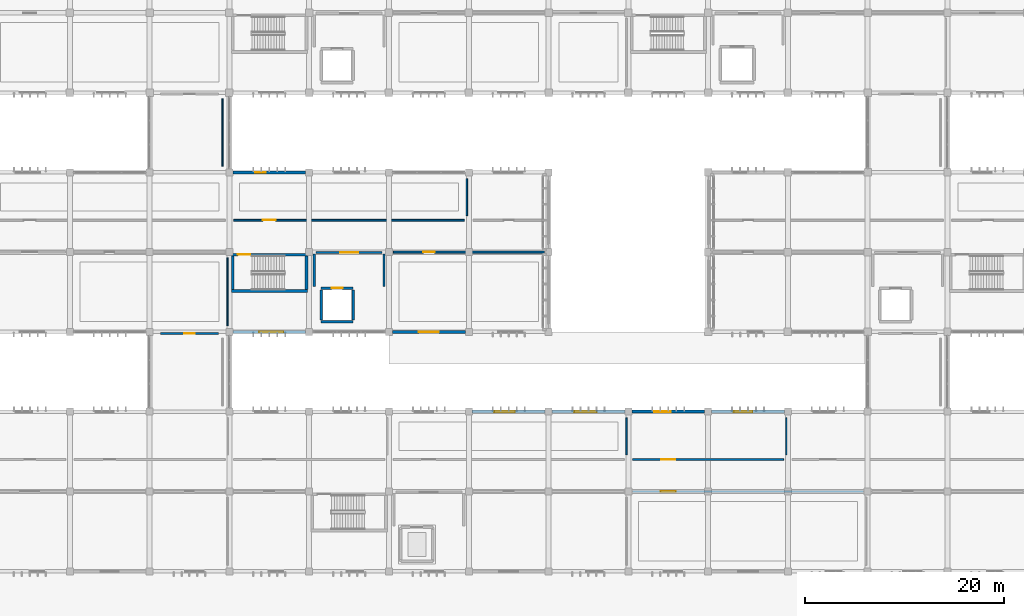
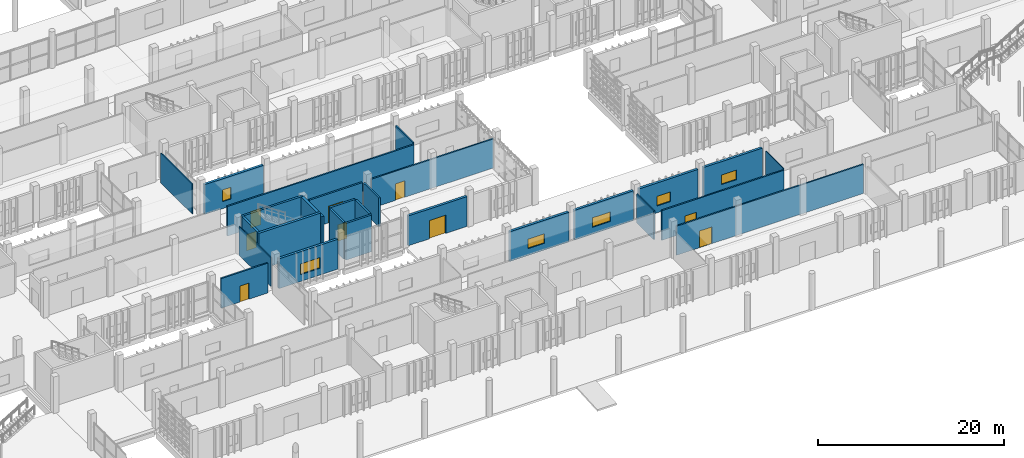
# One storey, part 86 of 117: 28 walls, 9 doors, 6 windows, 15 openings.
"""IFC4 building model written with IfcOpenShell, lengths in metres."""

from ifc_helpers import new_model, si_unit, direction, frame, frame_2d, origin, place, context, subcontext, project, spatial, rectangle, extrude, material, layer, layer_set, type_object, element, fill, save


model = new_model("IFC4")

# Units and contexts
model_context = context("Model", 3, precision=1e-05, world=origin(), true_north=direction((0.0, 1.0)))
body_context = subcontext(model_context, "Body", "Model", "MODEL_VIEW")
ifc_project = project(units=[si_unit("LENGTHUNIT", "METRE"), si_unit("AREAUNIT", "SQUARE_METRE"), si_unit("VOLUMEUNIT", "CUBIC_METRE"), si_unit("PLANEANGLEUNIT", "RADIAN"), si_unit("MASSUNIT", "GRAM", prefix="KILO")], contexts=[model_context])

# Site, building, storey
site_placement = place(None, origin())
site = spatial("IfcSite", under=ifc_project, at=site_placement, CompositionType="ELEMENT")
building_placement = place(site_placement, origin())
building = spatial("IfcBuilding", under=site, at=building_placement, Name="Jelvoka-Kovrelna Polytechnic", CompositionType="ELEMENT")
storey_placement = place(building_placement, origin())
storey = spatial("IfcBuildingStorey", under=building, at=storey_placement, Name="L01", CompositionType="ELEMENT", Elevation=0.0)

# Wall, opening, door
ifc_material_1 = material(Name="Concrete C35/45", Category="concrete")
ifc_layer_1 = layer(ifc_material_1, 0.219970703125)
ifc_layer_set_1 = layer_set([ifc_layer_1], Name="Concrete C35/45")
wall_type_1 = type_object("IfcWallType", Name="Wall_Compartment_220", PredefinedType="PARTITIONING", material=ifc_layer_set_1)
wall_1_placement = place(storey_placement, frame((88.699951171875, 39.949951171875, 0.0), z_axis=(0.0, 0.0, 1.0), x_axis=(1.0, 0.0, 0.0)))
wall_1 = element("IfcWall", 1, at=wall_1_placement, inside=storey, type_object=wall_type_1, Name="L01 interior wall 0410", PredefinedType="PARTITIONING", context=body_context, shape_type="SweptSolid", body=[
    extrude(rectangle(XDim=6.60009765625, YDim=0.219970703125, at=frame_2d((3.300048828125, 0.0))), origin(), (0.0, 0.0, 1.0), 3.81005859375),
])
opening_1_placement = place(wall_1_placement, frame((2.39990234375, 0.0, 0.0)))
opening_1 = element("IfcOpeningElement", 2, at=opening_1_placement, cuts=wall_1, Name="Opening FD-L01-083", PredefinedType="OPENING", context=body_context, shape_type="SweptSolid", body=[
    extrude(rectangle(XDim=1.800048828125, YDim=2.199951171875, at=frame_2d((0.89990234375, 1.10009765625))), frame((0.0, 0.119873046875, 0.0), z_axis=(0.0, -1.0, 0.0), x_axis=(1.0, 0.0, 0.0)), (0.0, 0.0, 1.0), 0.239990234375),
])
ifc_material_2 = material(Name="Paired steel corridor fire door", Category="steel")
door_type_1 = type_object("IfcDoorType", Name="Door_Fire_FD03", OperationType="NOTDEFINED", PredefinedType="DOOR", material=ifc_material_2)
door_1_placement = place(opening_1_placement, origin())
door_1 = element("IfcDoor", 3, at=door_1_placement, inside=storey, type_object=door_type_1, Name="L01 interior door FD-L01-083", OperationType="DOUBLE_DOOR_SINGLE_SWING", OverallHeight=2.199951171875, OverallWidth=1.800048828125, PredefinedType="DOOR", context=body_context, shape_type="SweptSolid", body=[
    extrude(rectangle(XDim=1.800048828125, YDim=2.199951171875, at=frame_2d((0.89990234375, 1.10009765625))), frame((0.0, 0.02490234375, 0.0), z_axis=(0.0, -1.0, 0.0), x_axis=(1.0, 0.0, 0.0)), (0.0, 0.0, 1.0), 0.050048828125),
])
fill(opening_1, door_1)

# Walls
for number, where, z_axis, x_axis, name in (
    (4, (88.5, 36.550048828125, 0.0), (0.0, 0.0, 1.0), (0.0, 1.0, 0.0), "L01 interior wall 0411"),
    (5, (95.5, 36.550048828125, 0.0), (0.0, 0.0, 1.0), (0.0, 1.0, 0.0), "L01 interior wall 0412"),
):
    element("IfcWall", number, at=place(storey_placement, frame(where, z_axis=z_axis, x_axis=x_axis)), inside=storey, type_object=wall_type_1, Name=name, PredefinedType="PARTITIONING", context=body_context, shape_type="SweptSolid", body=[
        extrude(rectangle(XDim=3.25, YDim=0.219970703125, at=frame_2d((1.625, 0.0))), origin(), (0.0, 0.0, 1.0), 3.760009765625),
    ])

# Wall, opening, door
ifc_material_3 = material(Name="Concrete C40/50", Category="concrete")
ifc_layer_2 = layer(ifc_material_3, 0.25)
ifc_layer_set_2 = layer_set([ifc_layer_2], Name="Concrete C40/50")
wall_type_2 = type_object("IfcWallType", Name="Wall_Core_250", PredefinedType="SOLIDWALL", material=ifc_layer_set_2)
wall_2_placement = place(storey_placement, frame((80.199951171875, 39.739990234375, 0.0), z_axis=(0.0, 0.0, 1.0), x_axis=(1.0, 0.0, 0.0)))
wall_2 = element("IfcWall", 6, at=wall_2_placement, inside=storey, type_object=wall_type_2, Name="L01 interior wall 0091", PredefinedType="SOLIDWALL", context=body_context, shape_type="SweptSolid", body=[
    extrude(rectangle(XDim=7.650146484375, YDim=0.25, at=frame_2d((3.8251953125, 0.0))), origin(), (0.0, 0.0, 1.0), 4.800048828125),
])
opening_2_placement = place(wall_2_placement, frame((0.64990234375, 0.0, 0.0)))
opening_2 = element("IfcOpeningElement", 7, at=opening_2_placement, cuts=wall_2, Name="Opening SD-L01-023", PredefinedType="OPENING", context=body_context, shape_type="SweptSolid", body=[
    extrude(rectangle(XDim=1.25, YDim=2.14990234375, at=frame_2d((0.625, 1.074951171875))), frame((0.0, 0.135009765625, 0.0), z_axis=(0.0, -1.0, 0.0), x_axis=(1.0, 0.0, 0.0)), (0.0, 0.0, 1.0), 0.27001953125),
])
ifc_material_4 = material(Name="Powder-coated steel fire door", Category="steel")
door_type_2 = type_object("IfcDoorType", Name="Door_Fire_FD02", OperationType="NOTDEFINED", PredefinedType="DOOR", material=ifc_material_4)
door_2_placement = place(opening_2_placement, origin())
door_2 = element("IfcDoor", 8, at=door_2_placement, inside=storey, type_object=door_type_2, Name="L01 interior door SD-L01-023", OperationType="SINGLE_SWING_LEFT", OverallHeight=2.14990234375, OverallWidth=1.25, PredefinedType="DOOR", context=body_context, shape_type="SweptSolid", body=[
    extrude(rectangle(XDim=1.25, YDim=2.14990234375, at=frame_2d((0.625, 1.074951171875))), frame((0.0, 0.02490234375, 0.0), z_axis=(0.0, -1.0, 0.0), x_axis=(1.0, 0.0, 0.0)), (0.0, 0.0, 1.0), 0.050048828125),
])
fill(opening_2, door_2)

# Walls
wall_3_placement = place(storey_placement, frame((80.324951171875, 36.25, 0.0), z_axis=(0.0, 0.0, 1.0), x_axis=(0.0, 1.0, 0.0)))
element("IfcWall", 9, at=wall_3_placement, inside=storey, type_object=wall_type_2, Name="L01 interior wall 0092", PredefinedType="SOLIDWALL", context=body_context, shape_type="SweptSolid", body=[
    extrude(rectangle(XDim=3.360107421875, YDim=0.25, at=frame_2d((1.68017578125, 0.0))), origin(), (0.0, 0.0, 1.0), 4.800048828125),
])
wall_4_placement = place(storey_placement, frame((89.199951171875, 33.0, 0.0), z_axis=(0.0, 0.0, 1.0), x_axis=(1.0, 0.0, 0.0)))
element("IfcWall", 10, at=wall_4_placement, inside=storey, type_object=wall_type_2, Name="L01 interior wall 0406", PredefinedType="SOLIDWALL", context=body_context, shape_type="SweptSolid", body=[
    extrude(rectangle(XDim=3.199951171875, YDim=0.25, at=frame_2d((1.60009765625, 0.0))), origin(), (0.0, 0.0, 1.0), 4.800048828125),
])

# Wall, opening, door
wall_5_placement = place(storey_placement, frame((89.199951171875, 36.39990234375, 0.0), z_axis=(0.0, 0.0, 1.0), x_axis=(1.0, 0.0, 0.0)))
wall_5 = element("IfcWall", 11, at=wall_5_placement, inside=storey, type_object=wall_type_2, Name="L01 interior wall 0407", PredefinedType="SOLIDWALL", context=body_context, shape_type="SweptSolid", body=[
    extrude(rectangle(XDim=3.199951171875, YDim=0.25, at=frame_2d((1.60009765625, 0.0))), origin(), (0.0, 0.0, 1.0), 4.800048828125),
])
opening_3_placement = place(wall_5_placement, frame((1.050048828125, 0.0, 0.0)))
opening_3 = element("IfcOpeningElement", 12, at=opening_3_placement, cuts=wall_5, Name="Opening LD-L01-20", PredefinedType="OPENING", context=body_context, shape_type="SweptSolid", body=[
    extrude(rectangle(XDim=1.10009765625, YDim=2.14990234375, at=frame_2d((0.550048828125, 1.074951171875))), frame((0.0, 0.135009765625, 0.0), z_axis=(0.0, -1.0, 0.0), x_axis=(1.0, 0.0, 0.0)), (0.0, 0.0, 1.0), 0.27001953125),
])
ifc_material_5 = material(Name="Brushed stainless steel sliding landing door", Category="steel")
door_type_3 = type_object("IfcDoorType", Name="Door_Lift_LD01", OperationType="NOTDEFINED", PredefinedType="DOOR", material=ifc_material_5)
door_3_placement = place(opening_3_placement, origin())
door_3 = element("IfcDoor", 13, at=door_3_placement, inside=storey, type_object=door_type_3, Name="L01 lift landing sliding door LD-L01-20", OperationType="DOUBLE_DOOR_SLIDING", OverallHeight=2.14990234375, OverallWidth=1.10009765625, PredefinedType="DOOR", context=body_context, shape_type="SweptSolid", body=[
    extrude(rectangle(XDim=1.10009765625, YDim=2.14990234375, at=frame_2d((0.550048828125, 1.074951171875))), frame((0.0, 0.02490234375, 0.0), z_axis=(0.0, -1.0, 0.0), x_axis=(1.0, 0.0, 0.0)), (0.0, 0.0, 1.0), 0.050048828125),
])
fill(opening_3, door_3)

# Walls
for number, where, z_axis, x_axis, name in (
    (14, (89.199951171875, 33.199951171875, 0.0), (0.0, 0.0, 1.0), (0.0, 1.0, 0.0), "L01 interior wall 0408"),
    (15, (92.39990234375, 33.199951171875, 0.0), (0.0, 0.0, 1.0), (0.0, 1.0, 0.0), "L01 interior wall 0409"),
):
    element("IfcWall", number, at=place(storey_placement, frame(where, z_axis=z_axis, x_axis=x_axis)), inside=storey, type_object=wall_type_2, Name=name, PredefinedType="SOLIDWALL", context=body_context, shape_type="SweptSolid", body=[
        extrude(rectangle(XDim=3.0, YDim=0.25, at=frame_2d((1.5, 0.0))), origin(), (0.0, 0.0, 1.0), 4.800048828125),
    ])

# Wall, opening, door
ifc_material_6 = material(Name="Autoclaved aerated concrete blockwork", Category="masonry")
ifc_layer_3 = layer(ifc_material_6, 0.179931640625)
ifc_layer_set_3 = layer_set([ifc_layer_3], Name="Autoclaved aerated concrete blockwork")
wall_type_3 = type_object("IfcWallType", Name="Wall_Corridor_180", PredefinedType="PARTITIONING", material=ifc_layer_set_3)
wall_6_placement = place(storey_placement, frame((120.429931640625, 16.0, 0.0), z_axis=(0.0, 0.0, 1.0), x_axis=(1.0, 0.0, 0.0)))
wall_6 = element("IfcWall", 16, at=wall_6_placement, inside=storey, type_object=wall_type_3, Name="L01 interior wall 0856", PredefinedType="PARTITIONING", context=body_context, shape_type="SweptSolid", body=[
    extrude(rectangle(XDim=23.14013671875, YDim=0.179931640625, at=frame_2d((11.570068359375, 0.0))), origin(), (0.0, 0.0, 1.0), 3.81005859375),
])
opening_4_placement = place(wall_6_placement, frame((2.800048828125, 0.0, 0.0)))
opening_4 = element("IfcOpeningElement", 17, at=opening_4_placement, cuts=wall_6, Name="Opening D-L01-158", PredefinedType="OPENING", context=body_context, shape_type="SweptSolid", body=[
    extrude(rectangle(XDim=1.5400390625, YDim=2.199951171875, at=frame_2d((0.77001953125, 1.10009765625))), frame((0.0, 0.099853515625, 0.0), z_axis=(0.0, -1.0, 0.0), x_axis=(1.0, 0.0, 0.0)), (0.0, 0.0, 1.0), 0.199951171875),
])
ifc_material_7 = material(Name="Paired hardwood fire-resisting library door", Category="wood")
door_type_4 = type_object("IfcDoorType", Name="Door_Fire_FD30_07", OperationType="NOTDEFINED", PredefinedType="DOOR", material=ifc_material_7)
door_4_placement = place(opening_4_placement, origin())
door_4 = element("IfcDoor", 18, at=door_4_placement, inside=storey, type_object=door_type_4, Name="L01 interior door D-L01-158", OperationType="DOUBLE_DOOR_SINGLE_SWING", OverallHeight=2.199951171875, OverallWidth=1.5400390625, PredefinedType="DOOR", context=body_context, shape_type="SweptSolid", body=[
    extrude(rectangle(XDim=1.5400390625, YDim=2.199951171875, at=frame_2d((0.77001953125, 1.10009765625))), frame((0.0, 0.02490234375, 0.0), z_axis=(0.0, -1.0, 0.0), x_axis=(1.0, 0.0, 0.0)), (0.0, 0.0, 1.0), 0.050048828125),
])
fill(opening_4, door_4)

wall_7_placement = place(storey_placement, frame((120.429931640625, 19.199951171875, 0.0), z_axis=(0.0, 0.0, 1.0), x_axis=(1.0, 0.0, 0.0)))
wall_7 = element("IfcWall", 19, at=wall_7_placement, inside=storey, type_object=wall_type_3, Name="L01 interior wall 0866", PredefinedType="PARTITIONING", context=body_context, shape_type="SweptSolid", body=[
    extrude(rectangle(XDim=15.14013671875, YDim=0.179931640625, at=frame_2d((7.570068359375, 0.0))), origin(), (0.0, 0.0, 1.0), 3.89990234375),
])
opening_5_placement = place(wall_7_placement, frame((2.860107421875, 0.0, 0.0)))
opening_5 = element("IfcOpeningElement", 20, at=opening_5_placement, cuts=wall_7, Name="Opening D-L01-164", PredefinedType="OPENING", context=body_context, shape_type="SweptSolid", body=[
    extrude(rectangle(XDim=1.419921875, YDim=2.199951171875, at=frame_2d((0.7099609375, 1.10009765625))), frame((0.0, 0.099853515625, 0.0), z_axis=(0.0, -1.0, 0.0), x_axis=(1.0, 0.0, 0.0)), (0.0, 0.0, 1.0), 0.199951171875),
])
ifc_material_8 = material(Name="Paired laboratory equipment door", Category="wood")
door_type_5 = type_object("IfcDoorType", Name="Door_Int_D16", OperationType="NOTDEFINED", PredefinedType="DOOR", material=ifc_material_8)
door_5_placement = place(opening_5_placement, origin())
door_5 = element("IfcDoor", 21, at=door_5_placement, inside=storey, type_object=door_type_5, Name="L01 interior door D-L01-164", OperationType="DOUBLE_DOOR_SINGLE_SWING", OverallHeight=2.199951171875, OverallWidth=1.419921875, PredefinedType="DOOR", context=body_context, shape_type="SweptSolid", body=[
    extrude(rectangle(XDim=1.419921875, YDim=2.199951171875, at=frame_2d((0.7099609375, 1.10009765625))), frame((0.0, 0.02490234375, 0.0), z_axis=(0.0, -1.0, 0.0), x_axis=(1.0, 0.0, 0.0)), (0.0, 0.0, 1.0), 0.050048828125),
])
fill(opening_5, door_5)

wall_8_placement = place(storey_placement, frame((96.429931640625, 40.0, 0.0), z_axis=(0.0, 0.0, 1.0), x_axis=(1.0, 0.0, 0.0)))
wall_8 = element("IfcWall", 22, at=wall_8_placement, inside=storey, type_object=wall_type_3, Name="L01 interior wall 0872", PredefinedType="PARTITIONING", context=body_context, shape_type="SweptSolid", body=[
    extrude(rectangle(XDim=15.14013671875, YDim=0.179931640625, at=frame_2d((7.570068359375, 0.0))), origin(), (0.0, 0.0, 1.0), 3.81005859375),
])
opening_6_placement = place(wall_8_placement, frame((2.9951171875, 0.0, 0.0)))
opening_6 = element("IfcOpeningElement", 23, at=opening_6_placement, cuts=wall_8, Name="Opening D-L01-168", PredefinedType="OPENING", context=body_context, shape_type="SweptSolid", body=[
    extrude(rectangle(XDim=1.14990234375, YDim=2.14990234375, at=frame_2d((0.574951171875, 1.074951171875))), frame((0.0, 0.099853515625, 0.0), z_axis=(0.0, -1.0, 0.0), x_axis=(1.0, 0.0, 0.0)), (0.0, 0.0, 1.0), 0.199951171875),
])
ifc_material_9 = material(Name="Hardwood fire-resisting laboratory door", Category="wood")
door_type_6 = type_object("IfcDoorType", Name="Door_Fire_FD30_03", OperationType="NOTDEFINED", PredefinedType="DOOR", material=ifc_material_9)
door_6_placement = place(opening_6_placement, origin())
door_6 = element("IfcDoor", 24, at=door_6_placement, inside=storey, type_object=door_type_6, Name="L01 interior door D-L01-168", OperationType="SINGLE_SWING_RIGHT", OverallHeight=2.14990234375, OverallWidth=1.14990234375, PredefinedType="DOOR", context=body_context, shape_type="SweptSolid", body=[
    extrude(rectangle(XDim=1.14990234375, YDim=2.14990234375, at=frame_2d((0.574951171875, 1.074951171875))), frame((0.0, 0.02490234375, 0.0), z_axis=(0.0, -1.0, 0.0), x_axis=(1.0, 0.0, 0.0)), (0.0, 0.0, 1.0), 0.050048828125),
])
fill(opening_6, door_6)

wall_9_placement = place(storey_placement, frame((80.429931640625, 43.199951171875, 0.0), z_axis=(0.0, 0.0, 1.0), x_axis=(1.0, 0.0, 0.0)))
wall_9 = element("IfcWall", 25, at=wall_9_placement, inside=storey, type_object=wall_type_3, Name="L01 interior wall 0874", PredefinedType="PARTITIONING", context=body_context, shape_type="SweptSolid", body=[
    extrude(rectangle(XDim=23.14013671875, YDim=0.179931640625, at=frame_2d((11.570068359375, 0.0))), origin(), (0.0, 0.0, 1.0), 3.89990234375),
])
opening_7_placement = place(wall_9_placement, frame((2.919921875, 0.0, 0.0)))
opening_7 = element("IfcOpeningElement", 26, at=opening_7_placement, cuts=wall_9, Name="Opening D-L01-170", PredefinedType="OPENING", context=body_context, shape_type="SweptSolid", body=[
    extrude(rectangle(XDim=1.300048828125, YDim=2.179931640625, at=frame_2d((0.64990234375, 1.08984375))), frame((0.0, 0.099853515625, 0.0), z_axis=(0.0, -1.0, 0.0), x_axis=(1.0, 0.0, 0.0)), (0.0, 0.0, 1.0), 0.199951171875),
])
ifc_material_10 = material(Name="Hardwood fire-resisting reading hall door", Category="wood")
door_type_7 = type_object("IfcDoorType", Name="Door_Fire_FD30_05", OperationType="NOTDEFINED", PredefinedType="DOOR", material=ifc_material_10)
door_7_placement = place(opening_7_placement, origin())
door_7 = element("IfcDoor", 27, at=door_7_placement, inside=storey, type_object=door_type_7, Name="L01 interior door D-L01-170", OperationType="SINGLE_SWING_RIGHT", OverallHeight=2.179931640625, OverallWidth=1.300048828125, PredefinedType="DOOR", context=body_context, shape_type="SweptSolid", body=[
    extrude(rectangle(XDim=1.300048828125, YDim=2.179931640625, at=frame_2d((0.64990234375, 1.08984375))), frame((0.0, 0.02490234375, 0.0), z_axis=(0.0, -1.0, 0.0), x_axis=(1.0, 0.0, 0.0)), (0.0, 0.0, 1.0), 0.050048828125),
])
fill(opening_7, door_7)

wall_10_placement = place(storey_placement, frame((73.10009765625, 31.85009765625, 0.0), z_axis=(0.0, 0.0, 1.0), x_axis=(1.0, 0.0, 0.0)))
wall_10 = element("IfcWall", 28, at=wall_10_placement, inside=storey, type_object=wall_type_3, Name="L01 interior wall 0901", PredefinedType="PARTITIONING", context=body_context, shape_type="SweptSolid", body=[
    extrude(rectangle(XDim=5.7998046875, YDim=0.179931640625, at=frame_2d((2.89990234375, 0.0))), origin(), (0.0, 0.0, 1.0), 3.89990234375),
])
opening_8_placement = place(wall_10_placement, frame((2.3701171875, 0.0, 0.0)))
opening_8 = element("IfcOpeningElement", 29, at=opening_8_placement, cuts=wall_10, Name="Opening D-L01-190", PredefinedType="OPENING", context=body_context, shape_type="SweptSolid", body=[
    extrude(rectangle(XDim=1.06005859375, YDim=2.10009765625, at=frame_2d((0.530029296875, 1.050048828125))), frame((0.0, 0.099853515625, 0.0), z_axis=(0.0, -1.0, 0.0), x_axis=(1.0, 0.0, 0.0)), (0.0, 0.0, 1.0), 0.199951171875),
])
ifc_material_11 = material(Name="Hardwood solid-core door", Category="wood")
door_type_8 = type_object("IfcDoorType", Name="Door_Int_D05", OperationType="NOTDEFINED", PredefinedType="DOOR", material=ifc_material_11)
door_8_placement = place(opening_8_placement, origin())
door_8 = element("IfcDoor", 30, at=door_8_placement, inside=storey, type_object=door_type_8, Name="L01 interior door D-L01-190", OperationType="SINGLE_SWING_LEFT", OverallHeight=2.10009765625, OverallWidth=1.06005859375, PredefinedType="DOOR", context=body_context, shape_type="SweptSolid", body=[
    extrude(rectangle(XDim=1.06005859375, YDim=2.10009765625, at=frame_2d((0.530029296875, 1.050048828125))), frame((0.0, 0.02490234375, 0.0), z_axis=(0.0, -1.0, 0.0), x_axis=(1.0, 0.0, 0.0)), (0.0, 0.0, 1.0), 0.050048828125),
])
fill(opening_8, door_8)

# Wall, opening, window
ifc_material_12 = material(Name="Precast concrete C40/50", Category="concrete")
ifc_layer_4 = layer(ifc_material_12, 0.300048828125)
ifc_layer_set_4 = layer_set([ifc_layer_4], Name="Precast concrete C40/50")
wall_type_4 = type_object("IfcWallType", Name="Wall_Ext_White_300", PredefinedType="STANDARD", material=ifc_layer_set_4)
wall_11_placement = place(storey_placement, frame((104.346923828125, 24.0, 0.0), z_axis=(0.0, 0.0, 1.0), x_axis=(1.0, 0.0, 0.0)))
wall_11 = element("IfcWall", 31, at=wall_11_placement, inside=storey, type_object=wall_type_4, Name="L01 exterior wall 0242", PredefinedType="STANDARD", context=body_context, shape_type="SweptSolid", body=[
    extrude(rectangle(XDim=7.30615234375, YDim=0.300048828125, at=frame_2d((3.653076171875, 0.0))), origin(), (0.0, 0.0, 1.0), 3.909912109375),
])
opening_9_placement = place(wall_11_placement, frame((2.23291015625, 0.0, 0.89990234375)))
opening_9 = element("IfcOpeningElement", 32, at=opening_9_placement, cuts=wall_11, Name="Opening W-L01-011", PredefinedType="OPENING", context=body_context, shape_type="SweptSolid", body=[
    extrude(rectangle(XDim=2.050048828125, YDim=1.25, at=frame_2d((1.02490234375, 0.625))), frame((0.0, 0.159912109375, 0.0), z_axis=(0.0, -1.0, 0.0), x_axis=(1.0, 0.0, 0.0)), (0.0, 0.0, 1.0), 0.320068359375),
])
ifc_material_13 = material(Name="Thermally broken anodised aluminium and low-e glazing", Category="aluminium")
window_type_1 = type_object("IfcWindowType", Name="Win_Casement_W06", PartitioningType="DOUBLE_PANEL_VERTICAL", PredefinedType="WINDOW", material=ifc_material_13)
window_1_placement = place(opening_9_placement, origin())
window_1 = element("IfcWindow", 33, at=window_1_placement, inside=storey, type_object=window_type_1, Name="L01 aluminium casement window W-L01-011", OverallHeight=1.25, OverallWidth=2.050048828125, PartitioningType="DOUBLE_PANEL_VERTICAL", PredefinedType="WINDOW", context=body_context, shape_type="SweptSolid", body=[
    extrude(rectangle(XDim=2.050048828125, YDim=1.25, at=frame_2d((1.02490234375, 0.625))), frame((0.0, 0.030029296875, 0.0), z_axis=(0.0, -1.0, 0.0), x_axis=(1.0, 0.0, 0.0)), (0.0, 0.0, 1.0), 0.06005859375),
])
fill(opening_9, window_1)

wall_12_placement = place(storey_placement, frame((112.346923828125, 24.0, 0.0), z_axis=(0.0, 0.0, 1.0), x_axis=(1.0, 0.0, 0.0)))
wall_12 = element("IfcWall", 34, at=wall_12_placement, inside=storey, type_object=wall_type_4, Name="L01 exterior wall 0244", PredefinedType="STANDARD", context=body_context, shape_type="SweptSolid", body=[
    extrude(rectangle(XDim=7.30615234375, YDim=0.300048828125, at=frame_2d((3.653076171875, 0.0))), origin(), (0.0, 0.0, 1.0), 3.909912109375),
])
opening_10_placement = place(wall_12_placement, frame((2.23291015625, 0.0, 0.89990234375)))
opening_10 = element("IfcOpeningElement", 35, at=opening_10_placement, cuts=wall_12, Name="Opening W-L01-013", PredefinedType="OPENING", context=body_context, shape_type="SweptSolid", body=[
    extrude(rectangle(XDim=2.25, YDim=1.25, at=frame_2d((1.125, 0.625))), frame((0.0, 0.159912109375, 0.0), z_axis=(0.0, -1.0, 0.0), x_axis=(1.0, 0.0, 0.0)), (0.0, 0.0, 1.0), 0.320068359375),
])
ifc_material_14 = material(Name="Thermally broken anodised aluminium and low-e glazing", Category="aluminium")
window_type_2 = type_object("IfcWindowType", Name="Win_Casement_W07", PartitioningType="DOUBLE_PANEL_VERTICAL", PredefinedType="WINDOW", material=ifc_material_14)
window_2_placement = place(opening_10_placement, origin())
window_2 = element("IfcWindow", 36, at=window_2_placement, inside=storey, type_object=window_type_2, Name="L01 aluminium casement window W-L01-013", OverallHeight=1.25, OverallWidth=2.25, PartitioningType="DOUBLE_PANEL_VERTICAL", PredefinedType="WINDOW", context=body_context, shape_type="SweptSolid", body=[
    extrude(rectangle(XDim=2.25, YDim=1.25, at=frame_2d((1.125, 0.625))), frame((0.0, 0.030029296875, 0.0), z_axis=(0.0, -1.0, 0.0), x_axis=(1.0, 0.0, 0.0)), (0.0, 0.0, 1.0), 0.06005859375),
])
fill(opening_10, window_2)

wall_13_placement = place(storey_placement, frame((120.346923828125, 24.0, 0.0), z_axis=(0.0, 0.0, 1.0), x_axis=(1.0, 0.0, 0.0)))
wall_13 = element("IfcWall", 37, at=wall_13_placement, inside=storey, type_object=wall_type_4, Name="L01 exterior wall 0246", PredefinedType="STANDARD", context=body_context, shape_type="SweptSolid", body=[
    extrude(rectangle(XDim=7.30615234375, YDim=0.300048828125, at=frame_2d((3.653076171875, 0.0))), origin(), (0.0, 0.0, 1.0), 3.909912109375),
])
opening_11_placement = place(wall_13_placement, frame((2.23291015625, 0.0, 0.89990234375)))
opening_11 = element("IfcOpeningElement", 38, at=opening_11_placement, cuts=wall_13, Name="Opening W-L01-015", PredefinedType="OPENING", context=body_context, shape_type="SweptSolid", body=[
    extrude(rectangle(XDim=1.64990234375, YDim=1.25, at=frame_2d((0.824951171875, 0.625))), frame((0.0, 0.159912109375, 0.0), z_axis=(0.0, -1.0, 0.0), x_axis=(1.0, 0.0, 0.0)), (0.0, 0.0, 1.0), 0.320068359375),
])
ifc_material_15 = material(Name="Thermally broken anodised aluminium and low-e glazing", Category="aluminium")
window_type_3 = type_object("IfcWindowType", Name="Win_Casement_W04", PartitioningType="DOUBLE_PANEL_VERTICAL", PredefinedType="WINDOW", material=ifc_material_15)
window_3_placement = place(opening_11_placement, origin())
window_3 = element("IfcWindow", 39, at=window_3_placement, inside=storey, type_object=window_type_3, Name="L01 aluminium casement window W-L01-015", OverallHeight=1.25, OverallWidth=1.64990234375, PartitioningType="DOUBLE_PANEL_VERTICAL", PredefinedType="WINDOW", context=body_context, shape_type="SweptSolid", body=[
    extrude(rectangle(XDim=1.64990234375, YDim=1.25, at=frame_2d((0.824951171875, 0.625))), frame((0.0, 0.030029296875, 0.0), z_axis=(0.0, -1.0, 0.0), x_axis=(1.0, 0.0, 0.0)), (0.0, 0.0, 1.0), 0.06005859375),
])
fill(opening_11, window_3)

wall_14_placement = place(storey_placement, frame((128.346923828125, 24.0, 0.0), z_axis=(0.0, 0.0, 1.0), x_axis=(1.0, 0.0, 0.0)))
wall_14 = element("IfcWall", 40, at=wall_14_placement, inside=storey, type_object=wall_type_4, Name="L01 exterior wall 0248", PredefinedType="STANDARD", context=body_context, shape_type="SweptSolid", body=[
    extrude(rectangle(XDim=7.30615234375, YDim=0.300048828125, at=frame_2d((3.653076171875, 0.0))), origin(), (0.0, 0.0, 1.0), 3.909912109375),
])
opening_12_placement = place(wall_14_placement, frame((2.23291015625, 0.0, 0.89990234375)))
opening_12 = element("IfcOpeningElement", 41, at=opening_12_placement, cuts=wall_14, Name="Opening W-L01-016", PredefinedType="OPENING", context=body_context, shape_type="SweptSolid", body=[
    extrude(rectangle(XDim=1.85009765625, YDim=1.25, at=frame_2d((0.925048828125, 0.625))), frame((0.0, 0.159912109375, 0.0), z_axis=(0.0, -1.0, 0.0), x_axis=(1.0, 0.0, 0.0)), (0.0, 0.0, 1.0), 0.320068359375),
])
ifc_material_16 = material(Name="Thermally broken anodised aluminium and low-e glazing", Category="aluminium")
window_type_4 = type_object("IfcWindowType", Name="Win_Casement_W05", PartitioningType="DOUBLE_PANEL_VERTICAL", PredefinedType="WINDOW", material=ifc_material_16)
window_4_placement = place(opening_12_placement, origin())
window_4 = element("IfcWindow", 42, at=window_4_placement, inside=storey, type_object=window_type_4, Name="L01 aluminium casement window W-L01-016", OverallHeight=1.25, OverallWidth=1.85009765625, PartitioningType="DOUBLE_PANEL_VERTICAL", PredefinedType="WINDOW", context=body_context, shape_type="SweptSolid", body=[
    extrude(rectangle(XDim=1.85009765625, YDim=1.25, at=frame_2d((0.925048828125, 0.625))), frame((0.0, 0.030029296875, 0.0), z_axis=(0.0, -1.0, 0.0), x_axis=(1.0, 0.0, 0.0)), (0.0, 0.0, 1.0), 0.06005859375),
])
fill(opening_12, window_4)

wall_15_placement = place(storey_placement, frame((87.653076171875, 32.0, 0.0), z_axis=(0.0, 0.0, 1.0), x_axis=(-1.0, 0.0, 0.0)))
wall_15 = element("IfcWall", 43, at=wall_15_placement, inside=storey, type_object=wall_type_4, Name="L01 exterior wall 0366", PredefinedType="STANDARD", context=body_context, shape_type="SweptSolid", body=[
    extrude(rectangle(XDim=7.30615234375, YDim=0.300048828125, at=frame_2d((3.653076171875, 0.0))), origin(), (0.0, 0.0, 1.0), 3.909912109375),
])
opening_13_placement = place(wall_15_placement, frame((2.23291015625, 0.0, 0.89990234375)))
opening_13 = element("IfcOpeningElement", 44, at=opening_13_placement, cuts=wall_15, Name="Opening W-L01-116", PredefinedType="OPENING", context=body_context, shape_type="SweptSolid", body=[
    extrude(rectangle(XDim=2.449951171875, YDim=1.39990234375, at=frame_2d((1.22509765625, 0.699951171875))), frame((0.0, 0.159912109375, 0.0), z_axis=(0.0, -1.0, 0.0), x_axis=(1.0, 0.0, 0.0)), (0.0, 0.0, 1.0), 0.320068359375),
])
ifc_material_17 = material(Name="Thermally broken anodised aluminium and low-e glazing", Category="aluminium")
window_type_5 = type_object("IfcWindowType", Name="Win_Casement_W18", PartitioningType="DOUBLE_PANEL_VERTICAL", PredefinedType="WINDOW", material=ifc_material_17)
window_5_placement = place(opening_13_placement, origin())
window_5 = element("IfcWindow", 45, at=window_5_placement, inside=storey, type_object=window_type_5, Name="L01 aluminium casement window W-L01-116", OverallHeight=1.39990234375, OverallWidth=2.449951171875, PartitioningType="DOUBLE_PANEL_VERTICAL", PredefinedType="WINDOW", context=body_context, shape_type="SweptSolid", body=[
    extrude(rectangle(XDim=2.449951171875, YDim=1.39990234375, at=frame_2d((1.22509765625, 0.699951171875))), frame((0.0, 0.030029296875, 0.0), z_axis=(0.0, -1.0, 0.0), x_axis=(1.0, 0.0, 0.0)), (0.0, 0.0, 1.0), 0.06005859375),
])
fill(opening_13, window_5)

wall_16_placement = place(storey_placement, frame((80.346923828125, 48.0, 0.0), z_axis=(0.0, 0.0, 1.0), x_axis=(1.0, 0.0, 0.0)))
wall_16 = element("IfcWall", 46, at=wall_16_placement, inside=storey, type_object=wall_type_4, Name="L01 exterior wall 0367", PredefinedType="STANDARD", context=body_context, shape_type="SweptSolid", body=[
    extrude(rectangle(XDim=7.30615234375, YDim=0.300048828125, at=frame_2d((3.653076171875, 0.0))), origin(), (0.0, 0.0, 1.0), 3.909912109375),
])
opening_14_placement = place(wall_16_placement, frame((2.23291015625, 0.0, 0.89990234375)))
opening_14 = element("IfcOpeningElement", 47, at=opening_14_placement, cuts=wall_16, Name="Opening W-L01-117", PredefinedType="OPENING", context=body_context, shape_type="SweptSolid", body=[
    extrude(rectangle(XDim=1.050048828125, YDim=1.550048828125, at=frame_2d((0.52490234375, 0.77490234375))), frame((0.0, 0.159912109375, 0.0), z_axis=(0.0, -1.0, 0.0), x_axis=(1.0, 0.0, 0.0)), (0.0, 0.0, 1.0), 0.320068359375),
])
ifc_material_18 = material(Name="Thermally broken anodised aluminium and low-e glazing", Category="aluminium")
window_type_6 = type_object("IfcWindowType", Name="Win_Casement_W21", PartitioningType="SINGLE_PANEL", PredefinedType="WINDOW", material=ifc_material_18)
window_6_placement = place(opening_14_placement, origin())
window_6 = element("IfcWindow", 48, at=window_6_placement, inside=storey, type_object=window_type_6, Name="L01 aluminium casement window W-L01-117", OverallHeight=1.550048828125, OverallWidth=1.050048828125, PartitioningType="SINGLE_PANEL", PredefinedType="WINDOW", context=body_context, shape_type="SweptSolid", body=[
    extrude(rectangle(XDim=1.050048828125, YDim=1.550048828125, at=frame_2d((0.52490234375, 0.77490234375))), frame((0.0, 0.030029296875, 0.0), z_axis=(0.0, -1.0, 0.0), x_axis=(1.0, 0.0, 0.0)), (0.0, 0.0, 1.0), 0.06005859375),
])
fill(opening_14, window_6)

# Wall, opening, door
wall_17_placement = place(storey_placement, frame((103.653076171875, 32.0, 0.0), z_axis=(0.0, 0.0, 1.0), x_axis=(-1.0, 0.0, 0.0)))
wall_17 = element("IfcWall", 49, at=wall_17_placement, inside=storey, type_object=wall_type_4, Name="L01 exterior wall 0369", PredefinedType="STANDARD", context=body_context, shape_type="SweptSolid", body=[
    extrude(rectangle(XDim=7.30615234375, YDim=0.300048828125, at=frame_2d((3.653076171875, 0.0))), origin(), (0.0, 0.0, 1.0), 3.909912109375),
])
opening_15_placement = place(wall_17_placement, frame((2.653076171875, 0.0, 0.0)))
opening_15 = element("IfcOpeningElement", 50, at=opening_15_placement, cuts=wall_17, Name="Opening E-L01-008", PredefinedType="OPENING", context=body_context, shape_type="SweptSolid", body=[
    extrude(rectangle(XDim=2.0, YDim=2.39990234375, at=frame_2d((1.0, 1.199951171875))), frame((0.0, 0.159912109375, 0.0), z_axis=(0.0, -1.0, 0.0), x_axis=(1.0, 0.0, 0.0)), (0.0, 0.0, 1.0), 0.320068359375),
])
ifc_material_19 = material(Name="Powder-coated aluminium and laminated safety glass", Category="aluminium")
door_type_9 = type_object("IfcDoorType", Name="Door_Ext_Exit_2000x2400", OperationType="NOTDEFINED", PredefinedType="DOOR", material=ifc_material_19)
door_9_placement = place(opening_15_placement, origin())
door_9 = element("IfcDoor", 51, at=door_9_placement, inside=storey, type_object=door_type_9, Name="L01 exterior door E-L01-008", OperationType="DOUBLE_DOOR_SINGLE_SWING", OverallHeight=2.39990234375, OverallWidth=2.0, PredefinedType="DOOR", context=body_context, shape_type="SweptSolid", body=[
    extrude(rectangle(XDim=2.0, YDim=2.39990234375, at=frame_2d((1.0, 1.199951171875))), frame((0.0, 0.02490234375, 0.0), z_axis=(0.0, -1.0, 0.0), x_axis=(1.0, 0.0, 0.0)), (0.0, 0.0, 1.0), 0.050048828125),
])
fill(opening_15, door_9)

# Walls
ifc_material_20 = material(Name="Acoustic operable studio partition", Category="wood")
ifc_layer_5 = layer(ifc_material_20, 0.1298828125)
ifc_layer_set_5 = layer_set([ifc_layer_5], Name="Acoustic operable studio partition")
wall_type_5 = type_object("IfcWallType", Name="Wall_Movable_130", PredefinedType="MOVABLE", material=ifc_layer_set_5)
wall_18_placement = place(storey_placement, frame((79.300048828125, 48.6201171875, 0.0), z_axis=(0.0, 0.0, 1.0), x_axis=(0.0, 1.0, 0.0)))
element("IfcWall", 52, at=wall_18_placement, inside=storey, type_object=wall_type_5, Name="L01 interior wall 0906", PredefinedType="MOVABLE", context=body_context, shape_type="SweptSolid", body=[
    extrude(rectangle(XDim=6.759765625, YDim=0.1298828125, at=frame_2d((3.3798828125, 0.0))), origin(), (0.0, 0.0, 1.0), 3.89990234375),
])
ifc_material_21 = material(Name="Acoustic gypsum stud partition")
ifc_layer_6 = layer(ifc_material_21, 0.125)
ifc_layer_set_6 = layer_set([ifc_layer_6], Name="Acoustic gypsum stud partition")
wall_type_6 = type_object("IfcWallType", Name="Wall_Partition_125", PredefinedType="PARTITIONING", material=ifc_layer_set_6)
wall_19_placement = place(storey_placement, frame((135.820068359375, 19.669921875, 0.0), z_axis=(0.0, 0.0, 1.0), x_axis=(0.0, 1.0, 0.0)))
element("IfcWall", 53, at=wall_19_placement, inside=storey, type_object=wall_type_6, Name="L01 interior wall 0867", PredefinedType="PARTITIONING", context=body_context, shape_type="SweptSolid", body=[
    extrude(rectangle(XDim=3.7099609375, YDim=0.125, at=frame_2d((1.85498046875, 0.0))), origin(), (0.0, 0.0, 1.0), 3.760009765625),
])
wall_20_placement = place(storey_placement, frame((79.820068359375, 32.6201171875, 0.0), z_axis=(0.0, 0.0, 1.0), x_axis=(0.0, 1.0, 0.0)))
element("IfcWall", 54, at=wall_20_placement, inside=storey, type_object=wall_type_6, Name="L01 interior wall 0871", PredefinedType="PARTITIONING", context=body_context, shape_type="SweptSolid", body=[
    extrude(rectangle(XDim=6.809814453125, YDim=0.125, at=frame_2d((3.40478515625, 0.0))), origin(), (0.0, 0.0, 1.0), 3.760009765625),
])
ifc_material_22 = material(Name="Autoclaved aerated concrete blockwork", Category="masonry")
ifc_layer_7 = layer(ifc_material_22, 0.14990234375)
ifc_layer_set_7 = layer_set([ifc_layer_7], Name="Autoclaved aerated concrete blockwork")
wall_type_7 = type_object("IfcWallType", Name="Wall_Partition_150", PredefinedType="PARTITIONING", material=ifc_layer_set_7)
for number, where, z_axis, x_axis, name in (
    (55, (119.820068359375, 19.669921875, 0.0), (0.0, 0.0, 1.0), (0.0, 1.0, 0.0), "L01 interior wall 0865"),
    (56, (103.820068359375, 43.669921875, 0.0), (0.0, 0.0, 1.0), (0.0, 1.0, 0.0), "L01 interior wall 0875"),
):
    element("IfcWall", number, at=place(storey_placement, frame(where, z_axis=z_axis, x_axis=x_axis)), inside=storey, type_object=wall_type_7, Name=name, PredefinedType="PARTITIONING", context=body_context, shape_type="SweptSolid", body=[
        extrude(rectangle(XDim=3.7099609375, YDim=0.14990234375, at=frame_2d((1.85498046875, 0.0))), origin(), (0.0, 0.0, 1.0), 3.760009765625),
    ])
ifc_material_23 = material(Name="Concrete C40/50", Category="concrete")
ifc_layer_8 = layer(ifc_material_23, 0.300048828125)
ifc_layer_set_8 = layer_set([ifc_layer_8], Name="Concrete C40/50")
wall_type_8 = type_object("IfcWallType", Name="Wall_Shear_300", PredefinedType="SHEAR", material=ifc_layer_set_8)
wall_21_placement = place(storey_placement, frame((80.199951171875, 36.090087890625, 0.0), z_axis=(0.0, 0.0, 1.0), x_axis=(1.0, 0.0, 0.0)))
element("IfcWall", 57, at=wall_21_placement, inside=storey, type_object=wall_type_8, Name="L01 interior wall 0089", PredefinedType="SHEAR", context=body_context, shape_type="SweptSolid", body=[
    extrude(rectangle(XDim=7.650146484375, YDim=0.300048828125, at=frame_2d((3.8251953125, 0.0))), origin(), (0.0, 0.0, 1.0), 4.800048828125),
])
wall_22_placement = place(storey_placement, frame((87.7099609375, 36.25, 0.0), z_axis=(0.0, 0.0, 1.0), x_axis=(0.0, 1.0, 0.0)))
element("IfcWall", 58, at=wall_22_placement, inside=storey, type_object=wall_type_8, Name="L01 interior wall 0090", PredefinedType="SHEAR", context=body_context, shape_type="SweptSolid", body=[
    extrude(rectangle(XDim=3.360107421875, YDim=0.300048828125, at=frame_2d((1.68017578125, 0.0))), origin(), (0.0, 0.0, 1.0), 4.800048828125),
])

save(model, "model.ifc")
